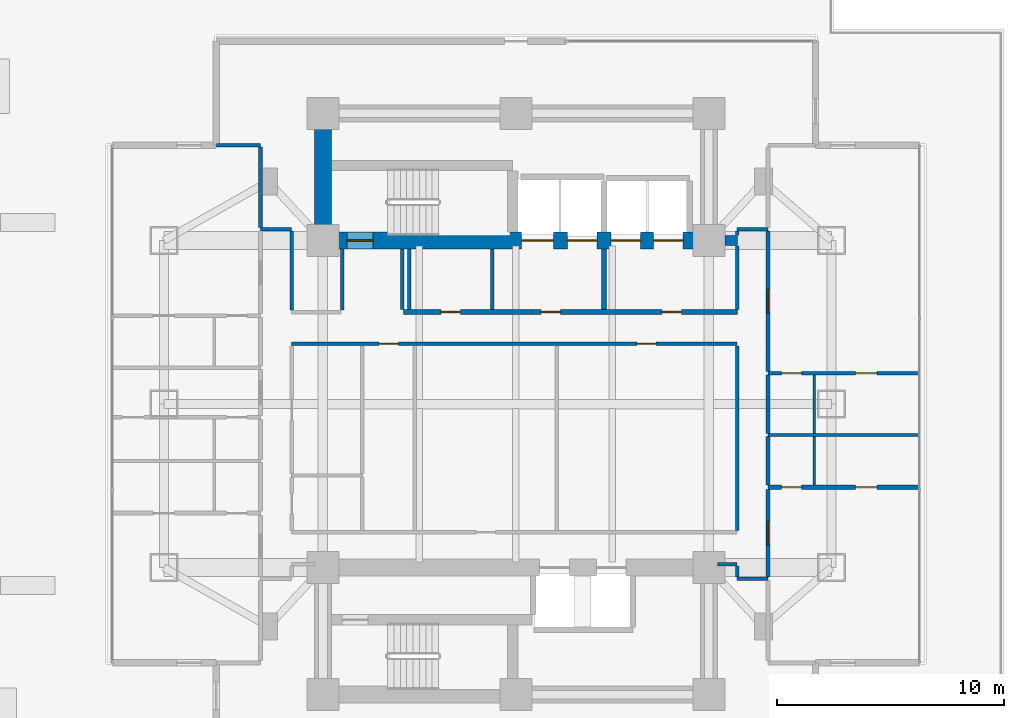
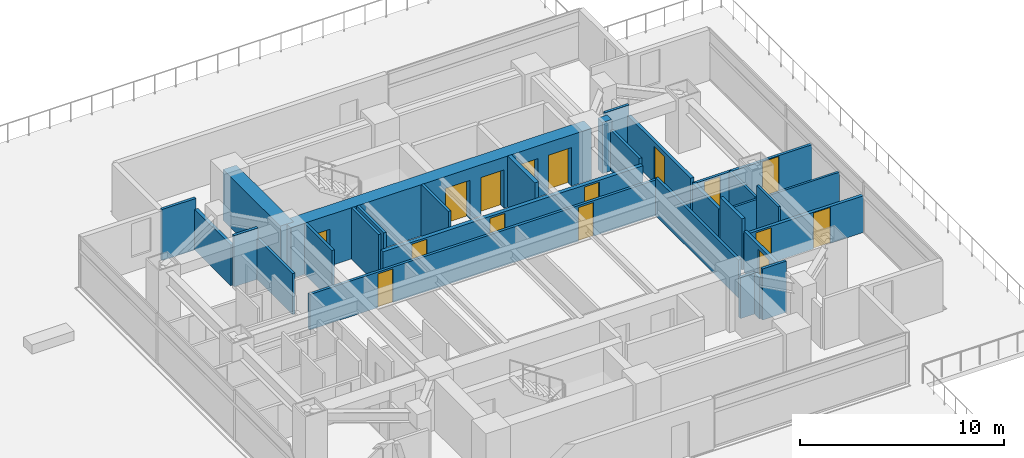
# One storey, part 17 of 26: 30 walls, 16 doors, 16 openings.
"""IFC4 building model written with IfcOpenShell, lengths in metres."""

import ifcopenshell
import ifcopenshell.guid

model = None  # the IFC model being written
_history = None  # IfcOwnerHistory: only IFC2X3 demands one
_inside = {}  # id of a spatial element -> (the spatial element, [elements in it])
_under = {}  # id of a project, library or spatial element -> (it, [spatial elements below it])
_declared = {}  # id of a project -> (the project, [libraries it declares])
_typed = {}  # id of a type object -> (the type object, [elements of that type])
_made_of = {}  # id of a material, layer set ... -> (it, [elements and type objects made of it])


def new_model(schema):
    """Start an empty IFC model of exactly this schema.

    Asked for "IFC4X3", IfcOpenShell would pick the latest addendum, in which some entities
    have other attributes; the version numbers below select the first issue.
    IFC2X3 requires an IfcOwnerHistory on every rooted entity: one is made here for all.
    """
    global model, _history
    if schema == "IFC4X3":
        model = ifcopenshell.file(schema_version=(4, 3, 0, 0))
    else:
        model = ifcopenshell.file(schema=schema)
    _inside.clear()
    _under.clear()
    _declared.clear()
    _typed.clear()
    _made_of.clear()
    _history = None
    if model.schema == "IFC2X3":
        org = make("IfcOrganization", Name="unknown")
        user = make(
            "IfcPersonAndOrganization",
            ThePerson=make("IfcPerson", FamilyName="unknown"),
            TheOrganization=org,
        )
        app = make(
            "IfcApplication",
            ApplicationDeveloper=org,
            Version="unknown",
            ApplicationFullName="unknown",
            ApplicationIdentifier="unknown",
        )
        _history = make(
            "IfcOwnerHistory",
            OwningUser=user,
            OwningApplication=app,
            ChangeAction="ADDED",
            CreationDate=0,
        )
    return model


def make(cls, **values):
    """One entity of the class cls with the attributes given. An attribute that is None is left unset."""
    return model.create_entity(
        cls, **{name: value for name, value in values.items() if value is not None}
    )


def rooted(cls, **values):
    """An entity with a GlobalId (a new one), such as an element, a storey or a relation."""
    return make(cls, GlobalId=ifcopenshell.guid.new(), OwnerHistory=_history, **values)


def si_unit(unit_type, name, prefix=None):
    """IfcSIUnit, for example si_unit("LENGTHUNIT", "METRE", prefix="MILLI")."""
    return make("IfcSIUnit", UnitType=unit_type, Prefix=prefix, Name=name)


def assignment(units):
    """IfcUnitAssignment: the units of a project."""
    return None if units is None else make("IfcUnitAssignment", Units=units)


def point(xyz):
    """IfcCartesianPoint."""
    return None if xyz is None else make("IfcCartesianPoint", Coordinates=xyz)


def direction(xyz):
    """IfcDirection."""
    return None if xyz is None else make("IfcDirection", DirectionRatios=xyz)


def frame(location, z_axis=None, x_axis=None):
    """IfcAxis2Placement3D, a coordinate frame: its origin and axes. An axis left out is left unset."""
    return make(
        "IfcAxis2Placement3D",
        Location=point(location),
        Axis=direction(z_axis),
        RefDirection=direction(x_axis),
    )


def frame_2d(location, x_axis=None):
    """IfcAxis2Placement2D, a coordinate frame in the plane: its origin and x axis."""
    return make(
        "IfcAxis2Placement2D", Location=point(location), RefDirection=direction(x_axis)
    )


def origin():
    """The frame at (0, 0, 0) with its axes left unset."""
    return frame((0.0, 0.0, 0.0))


def place(relative_to, where):
    """IfcLocalPlacement: puts the frame where relative to a parent placement (None: the world)."""
    return make(
        "IfcLocalPlacement", PlacementRelTo=relative_to, RelativePlacement=where
    )


def context(
    kind, dimensions, precision=None, world=None, true_north=None, identifier=None
):
    """IfcGeometricRepresentationContext, for example the 3D "Model" context."""
    return make(
        "IfcGeometricRepresentationContext",
        ContextIdentifier=identifier,
        ContextType=kind,
        CoordinateSpaceDimension=dimensions,
        Precision=precision,
        WorldCoordinateSystem=world,
        TrueNorth=true_north,
    )


def subcontext(parent, identifier, kind, view, scale=None):
    """IfcGeometricRepresentationSubContext, for example "Body" below "Model"."""
    return make(
        "IfcGeometricRepresentationSubContext",
        ContextIdentifier=identifier,
        ContextType=kind,
        ParentContext=parent,
        TargetScale=scale,
        TargetView=view,
    )


def project(units=None, contexts=None):
    """IfcProject with its units and contexts."""
    return rooted(
        "IfcProject",
        Name="project",
        RepresentationContexts=contexts,
        UnitsInContext=assignment(units),
    )


def spatial(cls, under=None, at=None, **own):
    """A site, building, storey or space (cls), placed at a placement, below another one or the project."""
    s = rooted(cls, ObjectPlacement=at, **own)
    if under is not None:
        _under.setdefault(under.id(), (under, []))[1].append(s)
    return s


def profile(cls, at=None, kind="AREA", **sizes):
    """A parametric profile (cls). Its sizes go by their IFC names, for example OverallWidth=200.0."""
    return make(cls, ProfileType=kind, Position=at, **sizes)


def rectangle(**sizes):
    """IfcRectangleProfileDef."""
    return profile("IfcRectangleProfileDef", **sizes)


def extrude(swept, where, along, depth):
    """IfcExtrudedAreaSolid: the profile swept, set in the frame where, extruded along a direction by depth."""
    return make(
        "IfcExtrudedAreaSolid",
        SweptArea=swept,
        Position=where,
        ExtrudedDirection=direction(along),
        Depth=depth,
    )


def shape(context_of_items, identifier, shape_type, items):
    """IfcShapeRepresentation: the items that make up one representation, for example the "Body"."""
    return make(
        "IfcShapeRepresentation",
        ContextOfItems=context_of_items,
        RepresentationIdentifier=identifier,
        RepresentationType=shape_type,
        Items=items,
    )


def material(Name=None, Category=None):
    """IfcMaterial."""
    return make("IfcMaterial", Name=Name, Category=Category)


def layer(
    of_material, thickness, ventilated=None, Name=None, Category=None, Priority=None
):
    """IfcMaterialLayer: one layer of a wall or slab, of a material (None: an air gap)."""
    return make(
        "IfcMaterialLayer",
        Material=of_material,
        LayerThickness=thickness,
        IsVentilated=ventilated,
        Name=Name,
        Category=Category,
        Priority=Priority,
    )


def layer_set(layers, Name=None):
    """IfcMaterialLayerSet."""
    return make("IfcMaterialLayerSet", MaterialLayers=layers, LayerSetName=Name)


def made_of(thing, what):
    """Note that an element or type object is made of a material, layer set ...; save() writes the relation."""
    if what is not None:
        _made_of.setdefault(what.id(), (what, []))[1].append(thing)
    return thing


def type_object(cls, material=None, **own):
    """A type object (cls), such as IfcWallType, which elements share."""
    return made_of(rooted(cls, **own), material)


def element(
    cls,
    number,
    at=None,
    inside=None,
    cuts=None,
    type_object=None,
    material=None,
    context=None,
    identifier="Body",
    shape_type=None,
    held_by="IfcProductDefinitionShape",
    body=None,
    shapes=None,
    **own,
):
    """One element of the class cls, such as IfcWall. Its Tag is "e" and its number.

    at: its placement. inside: the storey or other place that contains it. cuts: it is an
    opening in that element (IfcRelVoidsElement). A single representation is given by context,
    identifier, shape_type and body (its items); several are given by shapes. held_by: the class
    of the entity that holds the representations. save() writes the other relations.
    """
    e = rooted(cls, Tag="e%d" % number, ObjectPlacement=at, **own)
    if body is not None:
        shapes = [shape(context, identifier, shape_type, body)]
    if shapes is not None:
        e.Representation = make(held_by, Representations=shapes)
    if inside is not None:
        _inside.setdefault(inside.id(), (inside, []))[1].append(e)
    if cuts is not None:
        rooted(
            "IfcRelVoidsElement", RelatingBuildingElement=cuts, RelatedOpeningElement=e
        )
    if type_object is not None:
        _typed.setdefault(type_object.id(), (type_object, []))[1].append(e)
    return made_of(e, material)


def fill(opening, filler):
    """IfcRelFillsElement: the door or window that sits in an opening."""
    return rooted(
        "IfcRelFillsElement",
        RelatingOpeningElement=opening,
        RelatedBuildingElement=filler,
    )


def aggregate(whole, parts):
    """IfcRelAggregates: a whole, such as a stair, and the parts it consists of."""
    return rooted("IfcRelAggregates", RelatingObject=whole, RelatedObjects=parts)


def save(model, path):
    """Write the relations noted so far, then the file.

    IfcRelAggregates (storeys below a building ...), IfcRelContainedInSpatialStructure (elements
    in a storey), IfcRelDefinesByType, IfcRelAssociatesMaterial and IfcRelDeclares: one each for
    every whole, place, type object, material and project.
    """
    for whole, parts in _under.values():
        aggregate(whole, parts)
    for where, things in _inside.values():
        rooted(
            "IfcRelContainedInSpatialStructure",
            RelatedElements=things,
            RelatingStructure=where,
        )
    for kind, things in _typed.values():
        rooted("IfcRelDefinesByType", RelatedObjects=things, RelatingType=kind)
    for what, things in _made_of.values():
        rooted("IfcRelAssociatesMaterial", RelatedObjects=things, RelatingMaterial=what)
    for by, libraries in _declared.values():
        rooted("IfcRelDeclares", RelatingContext=by, RelatedDefinitions=libraries)
    model.write(path)


model = new_model("IFC4")

# Units and contexts
model_context = context("Model", 3, precision=1e-05, world=origin(), true_north=direction((0.0, 1.0)))
body_context = subcontext(model_context, "Body", "Model", "MODEL_VIEW")
ifc_project = project(units=[si_unit("LENGTHUNIT", "METRE"), si_unit("AREAUNIT", "SQUARE_METRE"), si_unit("VOLUMEUNIT", "CUBIC_METRE"), si_unit("PLANEANGLEUNIT", "RADIAN"), si_unit("MASSUNIT", "GRAM", prefix="KILO")], contexts=[model_context])

# Site, building, storey
site_placement = place(None, origin())
site = spatial("IfcSite", under=ifc_project, at=site_placement, CompositionType="ELEMENT")
building_placement = place(site_placement, origin())
building = spatial("IfcBuilding", under=site, at=building_placement, Name="Mirazonda Arch Towers", CompositionType="ELEMENT")
storey_placement = place(building_placement, frame((0.0, 0.0, 22.39990234375)))
storey = spatial("IfcBuildingStorey", under=building, at=storey_placement, Name="L05", CompositionType="ELEMENT", Elevation=22.39990234375)

# Walls
ifc_material_1 = material(Name="Concrete C50/60", Category="concrete")
ifc_layer_1 = layer(ifc_material_1, 0.449951171875, Name="WALL-CORE-450")
ifc_layer_set_1 = layer_set([ifc_layer_1], Name="Concrete C50/60")
wall_type_1 = type_object("IfcWallType", Name="WALL-CORE-450", PredefinedType="SHEAR", material=ifc_layer_set_1)
wall_1_placement = place(storey_placement, frame((85.715087890625, 35.199951171875, 0.0), z_axis=(0.0, 0.0, 1.0), x_axis=(1.0, 0.0, 0.0)))
element("IfcWall", 1, at=wall_1_placement, inside=storey, type_object=wall_type_1, Name="L05 Stair Core Shear Wall 049", PredefinedType="SHEAR", context=body_context, shape_type="SweptSolid", body=[
    extrude(rectangle(XDim=0.534912109375, YDim=0.449951171875, at=frame_2d((0.267578125, 0.0))), origin(), (0.0, 0.0, 1.0), 3.06005859375),
])
ifc_material_2 = material(Name="Concrete C60/75", Category="concrete")
ifc_layer_2 = layer(ifc_material_2, 0.75, Name="WALL-CORE-750")
ifc_layer_set_2 = layer_set([ifc_layer_2], Name="Concrete C60/75")
wall_type_2 = type_object("IfcWallType", Name="WALL-CORE-750", PredefinedType="SHEAR", material=ifc_layer_set_2)
wall_2_placement = place(storey_placement, frame((68.0, 35.199951171875, 0.0), z_axis=(0.0, 0.0, 1.0), x_axis=(0.0, 1.0, 0.0)))
element("IfcWall", 2, at=wall_2_placement, inside=storey, type_object=wall_type_2, Name="L05 T2N-W Core Shear Wall", PredefinedType="SHEAR", context=body_context, shape_type="SweptSolid", body=[
    extrude(rectangle(XDim=5.60009765625, YDim=0.75, at=frame_2d((2.800048828125, 0.0))), origin(), (0.0, 0.0, 1.0), 3.06005859375),
])

# Wall, openings, doors
wall_3_placement = place(storey_placement, frame((68.0, 35.199951171875, 0.0), z_axis=(0.0, 0.0, 1.0), x_axis=(1.0, 0.0, 0.0)))
wall_3 = element("IfcWall", 3, at=wall_3_placement, inside=storey, type_object=wall_type_2, Name="L05 T2N-S Core Shear Wall", PredefinedType="SHEAR", context=body_context, shape_type="SweptSolid", body=[
    extrude(rectangle(XDim=17.0, YDim=0.75, at=frame_2d((8.5, 0.0))), origin(), (0.0, 0.0, 1.0), 3.06005859375),
])
opening_1_placement = place(wall_3_placement, frame((1.06005859375, 0.0, 0.0)))
opening_1 = element("IfcOpeningElement", 4, at=opening_1_placement, cuts=wall_3, Name="Opening DR-135", PredefinedType="OPENING", context=body_context, shape_type="SweptSolid", body=[
    extrude(rectangle(XDim=1.14990234375, YDim=2.199951171875, at=frame_2d((0.574951171875, 1.10009765625))), frame((0.0, 0.385009765625, 0.0), z_axis=(0.0, -1.0, 0.0), x_axis=(1.0, 0.0, 0.0)), (0.0, 0.0, 1.0), 0.77001953125),
])
opening_2_placement = place(wall_3_placement, frame((8.75, 0.0, 0.0)))
opening_2 = element("IfcOpeningElement", 5, at=opening_2_placement, cuts=wall_3, Name="Opening LD-112", PredefinedType="OPENING", context=body_context, shape_type="SweptSolid", body=[
    extrude(rectangle(XDim=1.39990234375, YDim=2.35009765625, at=frame_2d((0.699951171875, 1.175048828125))), frame((0.0, 0.385009765625, 0.0), z_axis=(0.0, -1.0, 0.0), x_axis=(1.0, 0.0, 0.0)), (0.0, 0.0, 1.0), 0.77001953125),
])
opening_3_placement = place(wall_3_placement, frame((10.77001953125, 0.0, 0.0)))
opening_3 = element("IfcOpeningElement", 6, at=opening_3_placement, cuts=wall_3, Name="Opening LD-111", PredefinedType="OPENING", context=body_context, shape_type="SweptSolid", body=[
    extrude(rectangle(XDim=1.300048828125, YDim=2.300048828125, at=frame_2d((0.64990234375, 1.14990234375))), frame((0.0, 0.385009765625, 0.0), z_axis=(0.0, -1.0, 0.0), x_axis=(1.0, 0.0, 0.0)), (0.0, 0.0, 1.0), 0.77001953125),
])
opening_4_placement = place(wall_3_placement, frame((12.68994140625, 0.0, 0.0)))
opening_4 = element("IfcOpeningElement", 7, at=opening_4_placement, cuts=wall_3, Name="Opening LD-111", PredefinedType="OPENING", context=body_context, shape_type="SweptSolid", body=[
    extrude(rectangle(XDim=1.300048828125, YDim=2.300048828125, at=frame_2d((0.64990234375, 1.14990234375))), frame((0.0, 0.385009765625, 0.0), z_axis=(0.0, -1.0, 0.0), x_axis=(1.0, 0.0, 0.0)), (0.0, 0.0, 1.0), 0.77001953125),
])
opening_5_placement = place(wall_3_placement, frame((14.570068359375, 0.0, 0.0)))
opening_5 = element("IfcOpeningElement", 8, at=opening_5_placement, cuts=wall_3, Name="Opening LD-111", PredefinedType="OPENING", context=body_context, shape_type="SweptSolid", body=[
    extrude(rectangle(XDim=1.300048828125, YDim=2.300048828125, at=frame_2d((0.64990234375, 1.14990234375))), frame((0.0, 0.385009765625, 0.0), z_axis=(0.0, -1.0, 0.0), x_axis=(1.0, 0.0, 0.0)), (0.0, 0.0, 1.0), 0.77001953125),
])
ifc_material_3 = material(Name="Architectural Brushed Steel S355", Category="steel")
door_type_1 = type_object("IfcDoorType", Name="DOOR-LIFT-FFL-1400", OperationType="NOTDEFINED", PredefinedType="DOOR", material=ifc_material_3)
door_1_placement = place(opening_2_placement, origin())
door_1 = element("IfcDoor", 9, at=door_1_placement, inside=storey, type_object=door_type_1, Name="L05 Lift Landing Sliding Door FFL-T2", OperationType="DOUBLE_DOOR_SLIDING", OverallHeight=2.35009765625, OverallWidth=1.39990234375, PredefinedType="DOOR", context=body_context, shape_type="SweptSolid", body=[
    extrude(rectangle(XDim=1.39990234375, YDim=2.35009765625, at=frame_2d((0.699951171875, 1.175048828125))), frame((0.0, 0.02490234375, 0.0), z_axis=(0.0, -1.0, 0.0), x_axis=(1.0, 0.0, 0.0)), (0.0, 0.0, 1.0), 0.050048828125),
])
fill(opening_2, door_1)
door_type_2 = type_object("IfcDoorType", Name="DOOR-LIFT-LAND-1300", OperationType="NOTDEFINED", PredefinedType="DOOR", material=ifc_material_3)
door_2_placement = place(opening_3_placement, origin())
door_2 = element("IfcDoor", 10, at=door_2_placement, inside=storey, type_object=door_type_2, Name="L05 Lift Landing Sliding Door SVL-T2", OperationType="DOUBLE_DOOR_SLIDING", OverallHeight=2.300048828125, OverallWidth=1.300048828125, PredefinedType="DOOR", context=body_context, shape_type="SweptSolid", body=[
    extrude(rectangle(XDim=1.300048828125, YDim=2.300048828125, at=frame_2d((0.64990234375, 1.14990234375))), frame((0.0, 0.02490234375, 0.0), z_axis=(0.0, -1.0, 0.0), x_axis=(1.0, 0.0, 0.0)), (0.0, 0.0, 1.0), 0.050048828125),
])
fill(opening_3, door_2)
door_3_placement = place(opening_4_placement, origin())
door_3 = element("IfcDoor", 11, at=door_3_placement, inside=storey, type_object=door_type_2, Name="L05 Lift Landing Sliding Door PL-T2L1", OperationType="DOUBLE_DOOR_SLIDING", OverallHeight=2.300048828125, OverallWidth=1.300048828125, PredefinedType="DOOR", context=body_context, shape_type="SweptSolid", body=[
    extrude(rectangle(XDim=1.300048828125, YDim=2.300048828125, at=frame_2d((0.64990234375, 1.14990234375))), frame((0.0, 0.02490234375, 0.0), z_axis=(0.0, -1.0, 0.0), x_axis=(1.0, 0.0, 0.0)), (0.0, 0.0, 1.0), 0.050048828125),
])
fill(opening_4, door_3)
door_4_placement = place(opening_5_placement, origin())
door_4 = element("IfcDoor", 12, at=door_4_placement, inside=storey, type_object=door_type_2, Name="L05 Lift Landing Sliding Door PL-T2L2", OperationType="DOUBLE_DOOR_SLIDING", OverallHeight=2.300048828125, OverallWidth=1.300048828125, PredefinedType="DOOR", context=body_context, shape_type="SweptSolid", body=[
    extrude(rectangle(XDim=1.300048828125, YDim=2.300048828125, at=frame_2d((0.64990234375, 1.14990234375))), frame((0.0, 0.02490234375, 0.0), z_axis=(0.0, -1.0, 0.0), x_axis=(1.0, 0.0, 0.0)), (0.0, 0.0, 1.0), 0.050048828125),
])
fill(opening_5, door_4)
door_type_3 = type_object("IfcDoorType", Name="DOOR-STAIR-FD90-1150", OperationType="NOTDEFINED", PredefinedType="DOOR", material=ifc_material_3)
door_5_placement = place(opening_1_placement, origin())
door_5 = element("IfcDoor", 13, at=door_5_placement, inside=storey, type_object=door_type_3, Name="L05 East Protected Stair North Door", OperationType="SINGLE_SWING_LEFT", OverallHeight=2.199951171875, OverallWidth=1.14990234375, PredefinedType="DOOR", context=body_context, shape_type="SweptSolid", body=[
    extrude(rectangle(XDim=1.14990234375, YDim=2.199951171875, at=frame_2d((0.574951171875, 1.10009765625))), frame((0.0, 0.02490234375, 0.0), z_axis=(0.0, -1.0, 0.0), x_axis=(1.0, 0.0, 0.0)), (0.0, 0.0, 1.0), 0.050048828125),
])
fill(opening_1, door_5)

ifc_material_4 = material(Name="Concrete C40/50", Category="concrete")
ifc_layer_3 = layer(ifc_material_4, 0.219970703125, Name="WALL-FFL-220")
ifc_layer_set_3 = layer_set([ifc_layer_3], Name="Concrete C40/50")
wall_type_3 = type_object("IfcWallType", Name="WALL-FFL-220", PredefinedType="SOLIDWALL", material=ifc_layer_set_3)
wall_4_placement = place(storey_placement, frame((71.550048828125, 32.050048828125, 0.0), z_axis=(0.0, 0.0, 1.0), x_axis=(1.0, 0.0, 0.0)))
wall_4 = element("IfcWall", 14, at=wall_4_placement, inside=storey, type_object=wall_type_3, Name="L05 Interior Partition 042", PredefinedType="SOLIDWALL", context=body_context, shape_type="SweptSolid", body=[
    extrude(rectangle(XDim=14.699951171875, YDim=0.219970703125, at=frame_2d((7.35009765625, 0.0))), origin(), (0.0, 0.0, 1.0), 2.125),
])
opening_6_placement = place(wall_4_placement, frame((11.389892578125, 0.0, 0.0)))
opening_6 = element("IfcOpeningElement", 15, at=opening_6_placement, cuts=wall_4, Name="Opening DR-128", PredefinedType="OPENING", context=body_context, shape_type="SweptSolid", body=[
    extrude(rectangle(XDim=0.85009765625, YDim=2.010009765625, at=frame_2d((0.425048828125, 1.0048828125))), frame((0.0, 0.119873046875, 0.0), z_axis=(0.0, -1.0, 0.0), x_axis=(1.0, 0.0, 0.0)), (0.0, 0.0, 1.0), 0.239990234375),
])
opening_7_placement = place(wall_4_placement, frame((6.06494140625, 0.0, 0.0)))
opening_7 = element("IfcOpeningElement", 16, at=opening_7_placement, cuts=wall_4, Name="Opening DR-128", PredefinedType="OPENING", context=body_context, shape_type="SweptSolid", body=[
    extrude(rectangle(XDim=0.85009765625, YDim=2.010009765625, at=frame_2d((0.425048828125, 1.0048828125))), frame((0.0, 0.119873046875, 0.0), z_axis=(0.0, -1.0, 0.0), x_axis=(1.0, 0.0, 0.0)), (0.0, 0.0, 1.0), 0.239990234375),
])
opening_8_placement = place(wall_4_placement, frame((1.64990234375, 0.0, 0.0)))
opening_8 = element("IfcOpeningElement", 17, at=opening_8_placement, cuts=wall_4, Name="Opening DR-128", PredefinedType="OPENING", context=body_context, shape_type="SweptSolid", body=[
    extrude(rectangle(XDim=0.85009765625, YDim=2.010009765625, at=frame_2d((0.425048828125, 1.0048828125))), frame((0.0, 0.119873046875, 0.0), z_axis=(0.0, -1.0, 0.0), x_axis=(1.0, 0.0, 0.0)), (0.0, 0.0, 1.0), 0.239990234375),
])
door_type_4 = type_object("IfcDoorType", Name="DOOR-RISER-FD60-850", OperationType="NOTDEFINED", PredefinedType="DOOR", material=ifc_material_3)
door_6_placement = place(opening_6_placement, origin())
door_6 = element("IfcDoor", 18, at=door_6_placement, inside=storey, type_object=door_type_4, Name="L05 East Passenger Lift Lobby Door", OperationType="SINGLE_SWING_RIGHT", OverallHeight=2.010009765625, OverallWidth=0.85009765625, PredefinedType="DOOR", context=body_context, shape_type="SweptSolid", body=[
    extrude(rectangle(XDim=0.85009765625, YDim=2.010009765625, at=frame_2d((0.425048828125, 1.0048828125))), frame((0.0, 0.02490234375, 0.0), z_axis=(0.0, -1.0, 0.0), x_axis=(1.0, 0.0, 0.0)), (0.0, 0.0, 1.0), 0.050048828125),
])
fill(opening_6, door_6)
door_7_placement = place(opening_7_placement, origin())
door_7 = element("IfcDoor", 19, at=door_7_placement, inside=storey, type_object=door_type_4, Name="L05 East Firefighting Lift Lobby Door", OperationType="SINGLE_SWING_RIGHT", OverallHeight=2.010009765625, OverallWidth=0.85009765625, PredefinedType="DOOR", context=body_context, shape_type="SweptSolid", body=[
    extrude(rectangle(XDim=0.85009765625, YDim=2.010009765625, at=frame_2d((0.425048828125, 1.0048828125))), frame((0.0, 0.02490234375, 0.0), z_axis=(0.0, -1.0, 0.0), x_axis=(1.0, 0.0, 0.0)), (0.0, 0.0, 1.0), 0.050048828125),
])
fill(opening_7, door_7)
door_8_placement = place(opening_8_placement, origin())
door_8 = element("IfcDoor", 20, at=door_8_placement, inside=storey, type_object=door_type_4, Name="L05 Tower 2 Housekeeping & Linen Room Door", OperationType="SINGLE_SWING_LEFT", OverallHeight=2.010009765625, OverallWidth=0.85009765625, PredefinedType="DOOR", context=body_context, shape_type="SweptSolid", body=[
    extrude(rectangle(XDim=0.85009765625, YDim=2.010009765625, at=frame_2d((0.425048828125, 1.0048828125))), frame((0.0, 0.02490234375, 0.0), z_axis=(0.0, -1.0, 0.0), x_axis=(1.0, 0.0, 0.0)), (0.0, 0.0, 1.0), 0.050048828125),
])
fill(opening_8, door_8)

# Walls
wall_5_placement = place(storey_placement, frame((80.3798828125, 32.169921875, 0.0), z_axis=(0.0, 0.0, 1.0), x_axis=(0.0, 1.0, 0.0)))
element("IfcWall", 21, at=wall_5_placement, inside=storey, type_object=wall_type_3, Name="L05 Interior Partition 145", PredefinedType="SOLIDWALL", context=body_context, shape_type="SweptSolid", body=[
    extrude(rectangle(XDim=2.66015625, YDim=0.219970703125, at=frame_2d((1.330078125, 0.0))), origin(), (0.0, 0.0, 1.0), 3.06005859375),
])
ifc_material_5 = material(Name="Fire-Rated Gypsum Stud Partition")
ifc_layer_4 = layer(ifc_material_5, 0.14990234375, Name="WALL-PART-CORR-150")
ifc_layer_set_4 = layer_set([ifc_layer_4], Name="Fire-Rated Gypsum Stud Partition")
wall_type_4 = type_object("IfcWallType", Name="WALL-PART-CORR-150", PredefinedType="PARTITIONING", material=ifc_layer_set_4)
wall_6_placement = place(storey_placement, frame((86.25, 20.300048828125, 0.0), z_axis=(0.0, 0.0, 1.0), x_axis=(1.0, 0.0, 0.0)))
element("IfcWall", 22, at=wall_6_placement, inside=storey, type_object=wall_type_4, Name="L05 Interior Partition 018", PredefinedType="PARTITIONING", context=body_context, shape_type="SweptSolid", body=[
    extrude(rectangle(XDim=1.35009765625, YDim=0.14990234375, at=frame_2d((0.675048828125, 0.0))), origin(), (0.0, 0.0, 1.0), 3.06005859375),
])
wall_7_placement = place(storey_placement, frame((85.3701171875, 20.949951171875, 0.0), z_axis=(0.0, 0.0, 1.0), x_axis=(1.0, 0.0, 0.0)))
element("IfcWall", 23, at=wall_7_placement, inside=storey, type_object=wall_type_4, Name="L05 Interior Partition 020", PredefinedType="PARTITIONING", context=body_context, shape_type="SweptSolid", body=[
    extrude(rectangle(XDim=0.8798828125, YDim=0.14990234375, at=frame_2d((0.43994140625, 0.0))), origin(), (0.0, 0.0, 1.0), 2.4521484375),
])

# Wall, openings, doors
wall_8_placement = place(storey_placement, frame((87.60009765625, 29.35205078125, 0.0), z_axis=(0.0, 0.0, 1.0), x_axis=(1.0, 0.0, 0.0)))
wall_8 = element("IfcWall", 24, at=wall_8_placement, inside=storey, type_object=wall_type_4, Name="L05 Interior Partition 035", PredefinedType="PARTITIONING", context=body_context, shape_type="SweptSolid", body=[
    extrude(rectangle(XDim=6.679931640625, YDim=0.14990234375, at=frame_2d((3.33984375, 0.0))), origin(), (0.0, 0.0, 1.0), 2.196044921875),
])
opening_9_placement = place(wall_8_placement, frame((3.864990234375, 0.0, 0.0)))
opening_9 = element("IfcOpeningElement", 25, at=opening_9_placement, cuts=wall_8, Name="Opening DR-104", PredefinedType="OPENING", context=body_context, shape_type="SweptSolid", body=[
    extrude(rectangle(XDim=0.949951171875, YDim=2.14990234375, at=frame_2d((0.47509765625, 1.074951171875))), frame((0.0, 0.0849609375, 0.0), z_axis=(0.0, -1.0, 0.0), x_axis=(1.0, 0.0, 0.0)), (0.0, 0.0, 1.0), 0.169921875),
])
opening_10_placement = place(wall_8_placement, frame((0.590087890625, 0.0, 0.0)))
opening_10 = element("IfcOpeningElement", 26, at=opening_10_placement, cuts=wall_8, Name="Opening DR-120", PredefinedType="OPENING", context=body_context, shape_type="SweptSolid", body=[
    extrude(rectangle(XDim=0.89990234375, YDim=2.10009765625, at=frame_2d((0.449951171875, 1.050048828125))), frame((0.0, 0.0849609375, 0.0), z_axis=(0.0, -1.0, 0.0), x_axis=(1.0, 0.0, 0.0)), (0.0, 0.0, 1.0), 0.169921875),
])
door_type_5 = type_object("IfcDoorType", Name="DOOR-ROOM-950", OperationType="NOTDEFINED", PredefinedType="DOOR", material=ifc_material_3)
door_9_placement = place(opening_9_placement, origin())
door_9 = element("IfcDoor", 27, at=door_9_placement, inside=storey, type_object=door_type_5, Name="L05 Suite Bedroom 2 Door", OperationType="SINGLE_SWING_LEFT", OverallHeight=2.14990234375, OverallWidth=0.949951171875, PredefinedType="DOOR", context=body_context, shape_type="SweptSolid", body=[
    extrude(rectangle(XDim=0.949951171875, YDim=2.14990234375, at=frame_2d((0.47509765625, 1.074951171875))), frame((0.0, 0.02490234375, 0.0), z_axis=(0.0, -1.0, 0.0), x_axis=(1.0, 0.0, 0.0)), (0.0, 0.0, 1.0), 0.050048828125),
])
fill(opening_9, door_9)
door_type_6 = type_object("IfcDoorType", Name="DOOR-WC-900", OperationType="NOTDEFINED", PredefinedType="DOOR", material=ifc_material_3)
door_10_placement = place(opening_10_placement, origin())
door_10 = element("IfcDoor", 28, at=door_10_placement, inside=storey, type_object=door_type_6, Name="L05 Suite En-Suite Bathroom 2 Door", OperationType="SINGLE_SWING_RIGHT", OverallHeight=2.10009765625, OverallWidth=0.89990234375, PredefinedType="DOOR", context=body_context, shape_type="SweptSolid", body=[
    extrude(rectangle(XDim=0.89990234375, YDim=2.10009765625, at=frame_2d((0.449951171875, 1.050048828125))), frame((0.0, 0.02490234375, 0.0), z_axis=(0.0, -1.0, 0.0), x_axis=(1.0, 0.0, 0.0)), (0.0, 0.0, 1.0), 0.050048828125),
])
fill(opening_10, door_10)

wall_9_placement = place(storey_placement, frame((66.6201171875, 30.64990234375, 0.0), z_axis=(0.0, 0.0, 1.0), x_axis=(1.0, 0.0, 0.0)))
wall_9 = element("IfcWall", 29, at=wall_9_placement, inside=storey, type_object=wall_type_4, Name="L05 Interior Partition 039", PredefinedType="PARTITIONING", context=body_context, shape_type="SweptSolid", body=[
    extrude(rectangle(XDim=19.6298828125, YDim=0.14990234375, at=frame_2d((9.81494140625, 0.0))), origin(), (0.0, 0.0, 1.0), 2.125),
])
opening_11_placement = place(wall_9_placement, frame((3.85498046875, 0.0, 0.0)))
opening_11 = element("IfcOpeningElement", 30, at=opening_11_placement, cuts=wall_9, Name="Opening DR-128", PredefinedType="OPENING", context=body_context, shape_type="SweptSolid", body=[
    extrude(rectangle(XDim=0.85009765625, YDim=2.010009765625, at=frame_2d((0.425048828125, 1.0048828125))), frame((0.0, 0.0849609375, 0.0), z_axis=(0.0, -1.0, 0.0), x_axis=(1.0, 0.0, 0.0)), (0.0, 0.0, 1.0), 0.169921875),
])
opening_12_placement = place(wall_9_placement, frame((15.208984375, 0.0, 0.0)))
opening_12 = element("IfcOpeningElement", 31, at=opening_12_placement, cuts=wall_9, Name="Opening DR-128", PredefinedType="OPENING", context=body_context, shape_type="SweptSolid", body=[
    extrude(rectangle(XDim=0.85009765625, YDim=2.010009765625, at=frame_2d((0.425048828125, 1.0048828125))), frame((0.0, 0.0849609375, 0.0), z_axis=(0.0, -1.0, 0.0), x_axis=(1.0, 0.0, 0.0)), (0.0, 0.0, 1.0), 0.169921875),
])
door_11_placement = place(opening_11_placement, origin())
door_11 = element("IfcDoor", 32, at=door_11_placement, inside=storey, type_object=door_type_4, Name="L05 L05 East Courtyard Study Door", OperationType="SINGLE_SWING_RIGHT", OverallHeight=2.010009765625, OverallWidth=0.85009765625, PredefinedType="DOOR", context=body_context, shape_type="SweptSolid", body=[
    extrude(rectangle(XDim=0.85009765625, YDim=2.010009765625, at=frame_2d((0.425048828125, 1.0048828125))), frame((0.0, 0.02490234375, 0.0), z_axis=(0.0, -1.0, 0.0), x_axis=(1.0, 0.0, 0.0)), (0.0, 0.0, 1.0), 0.050048828125),
])
fill(opening_11, door_11)
door_12_placement = place(opening_12_placement, origin())
door_12 = element("IfcDoor", 33, at=door_12_placement, inside=storey, type_object=door_type_4, Name="L05 Business Reading Study Door", OperationType="SINGLE_SWING_RIGHT", OverallHeight=2.010009765625, OverallWidth=0.85009765625, PredefinedType="DOOR", context=body_context, shape_type="SweptSolid", body=[
    extrude(rectangle(XDim=0.85009765625, YDim=2.010009765625, at=frame_2d((0.425048828125, 1.0048828125))), frame((0.0, 0.02490234375, 0.0), z_axis=(0.0, -1.0, 0.0), x_axis=(1.0, 0.0, 0.0)), (0.0, 0.0, 1.0), 0.050048828125),
])
fill(opening_12, door_12)

# Walls
wall_10_placement = place(storey_placement, frame((65.25, 35.699951171875, 0.0), z_axis=(0.0, 0.0, 1.0), x_axis=(1.0, 0.0, 0.0)))
element("IfcWall", 34, at=wall_10_placement, inside=storey, type_object=wall_type_4, Name="L05 Interior Partition 050", PredefinedType="PARTITIONING", context=body_context, shape_type="SweptSolid", body=[
    extrude(rectangle(XDim=1.3701171875, YDim=0.14990234375, at=frame_2d((0.68505859375, 0.0))), origin(), (0.0, 0.0, 1.0), 3.06005859375),
])
wall_11_placement = place(storey_placement, frame((86.25, 35.699951171875, 0.0), z_axis=(0.0, 0.0, 1.0), x_axis=(1.0, 0.0, 0.0)))
element("IfcWall", 35, at=wall_11_placement, inside=storey, type_object=wall_type_4, Name="L05 Interior Partition 051", PredefinedType="PARTITIONING", context=body_context, shape_type="SweptSolid", body=[
    extrude(rectangle(XDim=1.35009765625, YDim=0.14990234375, at=frame_2d((0.675048828125, 0.0))), origin(), (0.0, 0.0, 1.0), 3.06005859375),
])
wall_12_placement = place(storey_placement, frame((63.320068359375, 39.39990234375, 0.0), z_axis=(0.0, 0.0, 1.0), x_axis=(1.0, 0.0, 0.0)))
element("IfcWall", 36, at=wall_12_placement, inside=storey, type_object=wall_type_4, Name="L05 Interior Partition 055", PredefinedType="PARTITIONING", context=body_context, shape_type="SweptSolid", body=[
    extrude(rectangle(XDim=1.929931640625, YDim=0.14990234375, at=frame_2d((0.96484375, 0.0))), origin(), (0.0, 0.0, 1.0), 3.06005859375),
])
wall_13_placement = place(storey_placement, frame((66.6201171875, 32.135009765625, 0.0), z_axis=(0.0, 0.0, 1.0), x_axis=(0.0, 1.0, 0.0)))
element("IfcWall", 37, at=wall_13_placement, inside=storey, type_object=wall_type_4, Name="L05 Interior Partition 133", PredefinedType="PARTITIONING", context=body_context, shape_type="SweptSolid", body=[
    extrude(rectangle(XDim=3.47998046875, YDim=0.14990234375, at=frame_2d((1.739990234375, 0.0))), origin(), (0.0, 0.0, 1.0), 2.4521484375),
])
wall_14_placement = place(storey_placement, frame((68.85009765625, 32.135009765625, 0.0), z_axis=(0.0, 0.0, 1.0), x_axis=(0.0, 1.0, 0.0)))
element("IfcWall", 38, at=wall_14_placement, inside=storey, type_object=wall_type_4, Name="L05 Interior Partition 134", PredefinedType="PARTITIONING", context=body_context, shape_type="SweptSolid", body=[
    extrude(rectangle(XDim=2.695068359375, YDim=0.14990234375, at=frame_2d((1.34765625, 0.0))), origin(), (0.0, 0.0, 1.0), 3.06005859375),
])
for number, where, z_axis, x_axis, name in (
    (39, (71.5, 32.169921875, 0.0), (0.0, 0.0, 1.0), (0.0, 1.0, 0.0), "L05 Interior Partition 137"),
    (40, (71.800048828125, 32.169921875, 0.0), (0.0, 0.0, 1.0), (0.0, 1.0, 0.0), "L05 Interior Partition 138"),
    (41, (75.449951171875, 32.169921875, 0.0), (0.0, 0.0, 1.0), (0.0, 1.0, 0.0), "L05 Interior Partition 140"),
):
    element("IfcWall", number, at=place(storey_placement, frame(where, z_axis=z_axis, x_axis=x_axis)), inside=storey, type_object=wall_type_4, Name=name, PredefinedType="PARTITIONING", context=body_context, shape_type="SweptSolid", body=[
        extrude(rectangle(XDim=2.66015625, YDim=0.14990234375, at=frame_2d((1.330078125, 0.0))), origin(), (0.0, 0.0, 1.0), 3.06005859375),
    ])
wall_15_placement = place(storey_placement, frame((86.25, 20.385009765625, 0.0), z_axis=(0.0, 0.0, 1.0), x_axis=(0.0, 1.0, 0.0)))
element("IfcWall", 42, at=wall_15_placement, inside=storey, type_object=wall_type_4, Name="L05 Interior Partition 149", PredefinedType="PARTITIONING", context=body_context, shape_type="SweptSolid", body=[
    extrude(rectangle(XDim=0.47998046875, YDim=0.14990234375, at=frame_2d((0.239990234375, 0.0))), origin(), (0.0, 0.0, 1.0), 2.4521484375),
])
wall_16_placement = place(storey_placement, frame((86.25, 22.43505859375, 0.0), z_axis=(0.0, 0.0, 1.0), x_axis=(0.0, 1.0, 0.0)))
element("IfcWall", 43, at=wall_16_placement, inside=storey, type_object=wall_type_4, Name="L05 Interior Partition 150", PredefinedType="PARTITIONING", context=body_context, shape_type="SweptSolid", body=[
    extrude(rectangle(XDim=8.1298828125, YDim=0.14990234375, at=frame_2d((4.06494140625, 0.0))), origin(), (0.0, 0.0, 1.0), 2.279052734375),
])
wall_17_placement = place(storey_placement, frame((86.25, 32.169921875, 0.0), z_axis=(0.0, 0.0, 1.0), x_axis=(0.0, 1.0, 0.0)))
element("IfcWall", 44, at=wall_17_placement, inside=storey, type_object=wall_type_4, Name="L05 Interior Partition 151", PredefinedType="PARTITIONING", context=body_context, shape_type="SweptSolid", body=[
    extrude(rectangle(XDim=2.795166015625, YDim=0.14990234375, at=frame_2d((1.3974609375, 0.0))), origin(), (0.0, 0.0, 1.0), 2.4521484375),
])
wall_18_placement = place(storey_placement, frame((86.25, 35.43505859375, 0.0), z_axis=(0.0, 0.0, 1.0), x_axis=(0.0, 1.0, 0.0)))
element("IfcWall", 45, at=wall_18_placement, inside=storey, type_object=wall_type_4, Name="L05 Interior Partition 152", PredefinedType="PARTITIONING", context=body_context, shape_type="SweptSolid", body=[
    extrude(rectangle(XDim=0.179931640625, YDim=0.14990234375, at=frame_2d((0.08984375, 0.0))), origin(), (0.0, 0.0, 1.0), 2.4521484375),
])

# Wall, openings, doors
ifc_material_6 = material(Name="Fire-Rated Gypsum Twin-Stud Assembly")
ifc_layer_5 = layer(ifc_material_6, 0.179931640625, Name="WALL-PART-DEMISE-180")
ifc_layer_set_5 = layer_set([ifc_layer_5], Name="Fire-Rated Gypsum Twin-Stud Assembly")
wall_type_5 = type_object("IfcWallType", Name="WALL-PART-DEMISE-180", PredefinedType="PARTITIONING", material=ifc_layer_set_5)
wall_19_placement = place(storey_placement, frame((87.60009765625, 24.33203125, 0.0), z_axis=(0.0, 0.0, 1.0), x_axis=(1.0, 0.0, 0.0)))
wall_19 = element("IfcWall", 46, at=wall_19_placement, inside=storey, type_object=wall_type_5, Name="L05 Interior Partition 027", PredefinedType="PARTITIONING", context=body_context, shape_type="SweptSolid", body=[
    extrude(rectangle(XDim=6.679931640625, YDim=0.179931640625, at=frame_2d((3.33984375, 0.0))), origin(), (0.0, 0.0, 1.0), 2.196044921875),
])
opening_13_placement = place(wall_19_placement, frame((3.864990234375, 0.0, 0.0)))
opening_13 = element("IfcOpeningElement", 47, at=opening_13_placement, cuts=wall_19, Name="Opening DR-104", PredefinedType="OPENING", context=body_context, shape_type="SweptSolid", body=[
    extrude(rectangle(XDim=0.949951171875, YDim=2.14990234375, at=frame_2d((0.47509765625, 1.074951171875))), frame((0.0, 0.099853515625, 0.0), z_axis=(0.0, -1.0, 0.0), x_axis=(1.0, 0.0, 0.0)), (0.0, 0.0, 1.0), 0.199951171875),
])
opening_14_placement = place(wall_19_placement, frame((0.590087890625, 0.0, 0.0)))
opening_14 = element("IfcOpeningElement", 48, at=opening_14_placement, cuts=wall_19, Name="Opening DR-120", PredefinedType="OPENING", context=body_context, shape_type="SweptSolid", body=[
    extrude(rectangle(XDim=0.89990234375, YDim=2.10009765625, at=frame_2d((0.449951171875, 1.050048828125))), frame((0.0, 0.099853515625, 0.0), z_axis=(0.0, -1.0, 0.0), x_axis=(1.0, 0.0, 0.0)), (0.0, 0.0, 1.0), 0.199951171875),
])
door_13_placement = place(opening_13_placement, origin())
door_13 = element("IfcDoor", 49, at=door_13_placement, inside=storey, type_object=door_type_5, Name="L05 Suite Bedroom 1 Door", OperationType="SINGLE_SWING_RIGHT", OverallHeight=2.14990234375, OverallWidth=0.949951171875, PredefinedType="DOOR", context=body_context, shape_type="SweptSolid", body=[
    extrude(rectangle(XDim=0.949951171875, YDim=2.14990234375, at=frame_2d((0.47509765625, 1.074951171875))), frame((0.0, 0.02490234375, 0.0), z_axis=(0.0, -1.0, 0.0), x_axis=(1.0, 0.0, 0.0)), (0.0, 0.0, 1.0), 0.050048828125),
])
fill(opening_13, door_13)
door_14_placement = place(opening_14_placement, origin())
door_14 = element("IfcDoor", 50, at=door_14_placement, inside=storey, type_object=door_type_6, Name="L05 Suite En-Suite Bathroom 1 Door", OperationType="SINGLE_SWING_LEFT", OverallHeight=2.10009765625, OverallWidth=0.89990234375, PredefinedType="DOOR", context=body_context, shape_type="SweptSolid", body=[
    extrude(rectangle(XDim=0.89990234375, YDim=2.10009765625, at=frame_2d((0.449951171875, 1.050048828125))), frame((0.0, 0.02490234375, 0.0), z_axis=(0.0, -1.0, 0.0), x_axis=(1.0, 0.0, 0.0)), (0.0, 0.0, 1.0), 0.050048828125),
])
fill(opening_14, door_14)

# Wall
wall_20_placement = place(storey_placement, frame((65.25, 35.784912109375, 0.0), z_axis=(0.0, 0.0, 1.0), x_axis=(0.0, 1.0, 0.0)))
element("IfcWall", 51, at=wall_20_placement, inside=storey, type_object=wall_type_5, Name="L05 Interior Partition 129", PredefinedType="PARTITIONING", context=body_context, shape_type="SweptSolid", body=[
    extrude(rectangle(XDim=3.530029296875, YDim=0.179931640625, at=frame_2d((1.76513671875, 0.0))), origin(), (0.0, 0.0, 1.0), 2.43603515625),
])

# Wall, opening, door
wall_21_placement = place(storey_placement, frame((87.60009765625, 20.385009765625, 0.0), z_axis=(0.0, 0.0, 1.0), x_axis=(0.0, 1.0, 0.0)))
wall_21 = element("IfcWall", 52, at=wall_21_placement, inside=storey, type_object=wall_type_5, Name="L05 Interior Partition 154", PredefinedType="PARTITIONING", context=body_context, shape_type="SweptSolid", body=[
    extrude(rectangle(XDim=3.846923828125, YDim=0.179931640625, at=frame_2d((1.92333984375, 0.0))), origin(), (0.0, 0.0, 1.0), 2.4521484375),
])
opening_15_placement = place(wall_21_placement, frame((1.3984375, 0.0, 0.0)))
opening_15 = element("IfcOpeningElement", 53, at=opening_15_placement, cuts=wall_21, Name="Opening DR-121", PredefinedType="OPENING", context=body_context, shape_type="SweptSolid", body=[
    extrude(rectangle(XDim=1.050048828125, YDim=2.199951171875, at=frame_2d((0.52490234375, 1.10009765625))), frame((0.0, 0.099853515625, 0.0), z_axis=(0.0, -1.0, 0.0), x_axis=(1.0, 0.0, 0.0)), (0.0, 0.0, 1.0), 0.199951171875),
])
door_type_7 = type_object("IfcDoorType", Name="DOOR-SUITE-FD60-1050", OperationType="NOTDEFINED", PredefinedType="DOOR", material=ifc_material_3)
door_15_placement = place(opening_15_placement, origin())
door_15 = element("IfcDoor", 54, at=door_15_placement, inside=storey, type_object=door_type_7, Name="L05 Panoramic Suite Salon 1 Door", OperationType="SINGLE_SWING_LEFT", OverallHeight=2.199951171875, OverallWidth=1.050048828125, PredefinedType="DOOR", context=body_context, shape_type="SweptSolid", body=[
    extrude(rectangle(XDim=1.050048828125, YDim=2.199951171875, at=frame_2d((0.52490234375, 1.10009765625))), frame((0.0, 0.02490234375, 0.0), z_axis=(0.0, -1.0, 0.0), x_axis=(1.0, 0.0, 0.0)), (0.0, 0.0, 1.0), 0.050048828125),
])
fill(opening_15, door_15)

# Walls
wall_22_placement = place(storey_placement, frame((87.60009765625, 24.431884765625, 0.0), z_axis=(0.0, 0.0, 1.0), x_axis=(0.0, 1.0, 0.0)))
element("IfcWall", 55, at=wall_22_placement, inside=storey, type_object=wall_type_5, Name="L05 Interior Partition 155", PredefinedType="PARTITIONING", context=body_context, shape_type="SweptSolid", body=[
    extrude(rectangle(XDim=2.127685546875, YDim=0.179931640625, at=frame_2d((1.06396484375, 0.0))), origin(), (0.0, 0.0, 1.0), 3.06005859375),
])
wall_23_placement = place(storey_placement, frame((87.60009765625, 26.70458984375, 0.0), z_axis=(0.0, 0.0, 1.0), x_axis=(0.0, 1.0, 0.0)))
element("IfcWall", 56, at=wall_23_placement, inside=storey, type_object=wall_type_5, Name="L05 Interior Partition 156", PredefinedType="PARTITIONING", context=body_context, shape_type="SweptSolid", body=[
    extrude(rectangle(XDim=2.5625, YDim=0.179931640625, at=frame_2d((1.28125, 0.0))), origin(), (0.0, 0.0, 1.0), 2.279052734375),
])

# Wall, opening, door
wall_24_placement = place(storey_placement, frame((87.60009765625, 29.43701171875, 0.0), z_axis=(0.0, 0.0, 1.0), x_axis=(0.0, 1.0, 0.0)))
wall_24 = element("IfcWall", 57, at=wall_24_placement, inside=storey, type_object=wall_type_5, Name="L05 Interior Partition 157", PredefinedType="PARTITIONING", context=body_context, shape_type="SweptSolid", body=[
    extrude(rectangle(XDim=6.177978515625, YDim=0.179931640625, at=frame_2d((3.0888671875, 0.0))), origin(), (0.0, 0.0, 1.0), 2.4521484375),
])
opening_16_placement = place(wall_24_placement, frame((2.56396484375, 0.0, 0.0)))
opening_16 = element("IfcOpeningElement", 58, at=opening_16_placement, cuts=wall_24, Name="Opening DR-121", PredefinedType="OPENING", context=body_context, shape_type="SweptSolid", body=[
    extrude(rectangle(XDim=1.050048828125, YDim=2.199951171875, at=frame_2d((0.52490234375, 1.10009765625))), frame((0.0, 0.099853515625, 0.0), z_axis=(0.0, -1.0, 0.0), x_axis=(1.0, 0.0, 0.0)), (0.0, 0.0, 1.0), 0.199951171875),
])
door_16_placement = place(opening_16_placement, origin())
door_16 = element("IfcDoor", 59, at=door_16_placement, inside=storey, type_object=door_type_7, Name="L05 Deluxe Suite Living Room 2 Door", OperationType="SINGLE_SWING_RIGHT", OverallHeight=2.199951171875, OverallWidth=1.050048828125, PredefinedType="DOOR", context=body_context, shape_type="SweptSolid", body=[
    extrude(rectangle(XDim=1.050048828125, YDim=2.199951171875, at=frame_2d((0.52490234375, 1.10009765625))), frame((0.0, 0.02490234375, 0.0), z_axis=(0.0, -1.0, 0.0), x_axis=(1.0, 0.0, 0.0)), (0.0, 0.0, 1.0), 0.050048828125),
])
fill(opening_16, door_16)

# Walls
ifc_material_7 = material(Name="Acoustic Fire-Rated Gypsum Partition")
ifc_layer_6 = layer(ifc_material_7, 0.125, Name="WALL-PART-UNIT-125")
ifc_layer_set_6 = layer_set([ifc_layer_6], Name="Acoustic Fire-Rated Gypsum Partition")
wall_type_6 = type_object("IfcWallType", Name="WALL-PART-UNIT-125", PredefinedType="PARTITIONING", material=ifc_layer_set_6)
wall_25_placement = place(storey_placement, frame((87.60009765625, 26.632080078125, 0.0), z_axis=(0.0, 0.0, 1.0), x_axis=(1.0, 0.0, 0.0)))
element("IfcWall", 60, at=wall_25_placement, inside=storey, type_object=wall_type_6, Name="L05 Interior Partition 031", PredefinedType="PARTITIONING", context=body_context, shape_type="SweptSolid", body=[
    extrude(rectangle(XDim=6.679931640625, YDim=0.125, at=frame_2d((3.33984375, 0.0))), origin(), (0.0, 0.0, 1.0), 2.196044921875),
])
wall_26_placement = place(storey_placement, frame((89.639892578125, 24.431884765625, 0.0), z_axis=(0.0, 0.0, 1.0), x_axis=(0.0, 1.0, 0.0)))
element("IfcWall", 61, at=wall_26_placement, inside=storey, type_object=wall_type_6, Name="L05 Interior Partition 159", PredefinedType="PARTITIONING", context=body_context, shape_type="SweptSolid", body=[
    extrude(rectangle(XDim=2.127685546875, YDim=0.125, at=frame_2d((1.06396484375, 0.0))), origin(), (0.0, 0.0, 1.0), 3.06005859375),
])
wall_27_placement = place(storey_placement, frame((89.639892578125, 26.70458984375, 0.0), z_axis=(0.0, 0.0, 1.0), x_axis=(0.0, 1.0, 0.0)))
element("IfcWall", 62, at=wall_27_placement, inside=storey, type_object=wall_type_6, Name="L05 Interior Partition 160", PredefinedType="PARTITIONING", context=body_context, shape_type="SweptSolid", body=[
    extrude(rectangle(XDim=2.5625, YDim=0.125, at=frame_2d((1.28125, 0.0))), origin(), (0.0, 0.0, 1.0), 2.279052734375),
])

save(model, "model.ifc")
